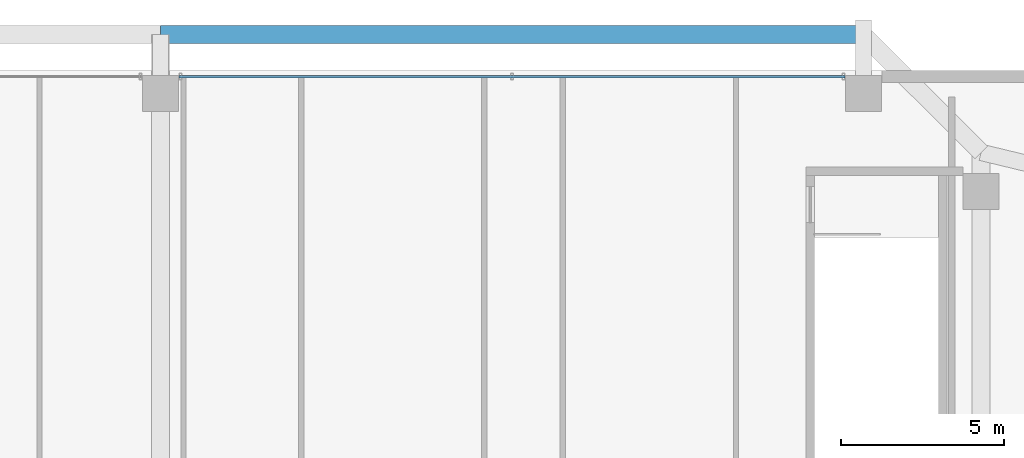
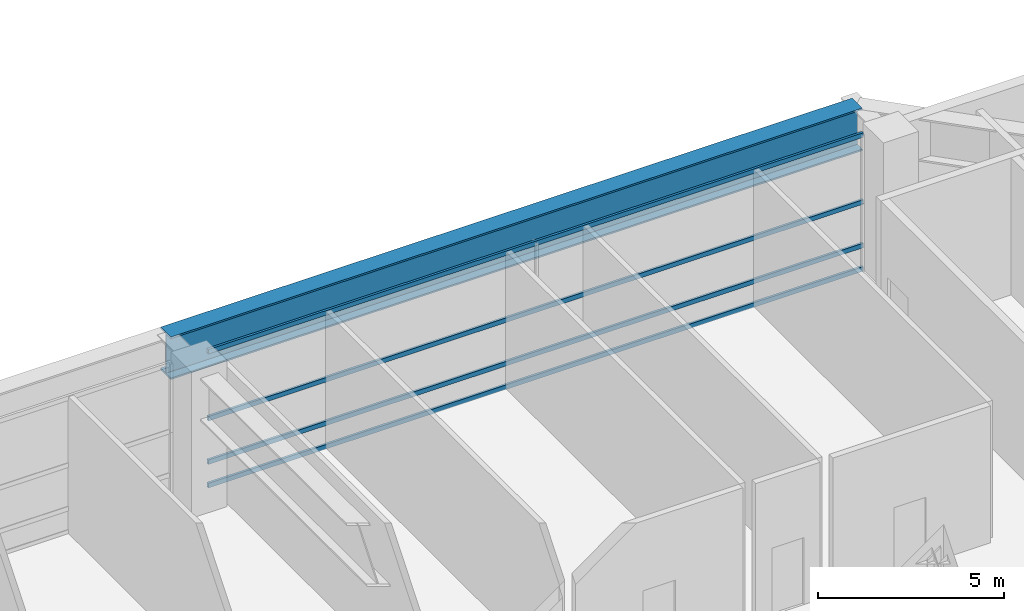
# One storey, part 22 of 34: 4 members, 1 beam, 1 element without a shape of its own.
"""IFC4 building model written with IfcOpenShell, lengths in metres."""

import ifcopenshell
import ifcopenshell.guid

model = None  # the IFC model being written
_history = None  # IfcOwnerHistory: only IFC2X3 demands one
_inside = {}  # id of a spatial element -> (the spatial element, [elements in it])
_under = {}  # id of a project, library or spatial element -> (it, [spatial elements below it])
_declared = {}  # id of a project -> (the project, [libraries it declares])
_typed = {}  # id of a type object -> (the type object, [elements of that type])
_made_of = {}  # id of a material, layer set ... -> (it, [elements and type objects made of it])


def new_model(schema):
    """Start an empty IFC model of exactly this schema.

    Asked for "IFC4X3", IfcOpenShell would pick the latest addendum, in which some entities
    have other attributes; the version numbers below select the first issue.
    IFC2X3 requires an IfcOwnerHistory on every rooted entity: one is made here for all.
    """
    global model, _history
    if schema == "IFC4X3":
        model = ifcopenshell.file(schema_version=(4, 3, 0, 0))
    else:
        model = ifcopenshell.file(schema=schema)
    _inside.clear()
    _under.clear()
    _declared.clear()
    _typed.clear()
    _made_of.clear()
    _history = None
    if model.schema == "IFC2X3":
        org = make("IfcOrganization", Name="unknown")
        user = make(
            "IfcPersonAndOrganization",
            ThePerson=make("IfcPerson", FamilyName="unknown"),
            TheOrganization=org,
        )
        app = make(
            "IfcApplication",
            ApplicationDeveloper=org,
            Version="unknown",
            ApplicationFullName="unknown",
            ApplicationIdentifier="unknown",
        )
        _history = make(
            "IfcOwnerHistory",
            OwningUser=user,
            OwningApplication=app,
            ChangeAction="ADDED",
            CreationDate=0,
        )
    return model


def make(cls, **values):
    """One entity of the class cls with the attributes given. An attribute that is None is left unset."""
    return model.create_entity(
        cls, **{name: value for name, value in values.items() if value is not None}
    )


def rooted(cls, **values):
    """An entity with a GlobalId (a new one), such as an element, a storey or a relation."""
    return make(cls, GlobalId=ifcopenshell.guid.new(), OwnerHistory=_history, **values)


def si_unit(unit_type, name, prefix=None):
    """IfcSIUnit, for example si_unit("LENGTHUNIT", "METRE", prefix="MILLI")."""
    return make("IfcSIUnit", UnitType=unit_type, Prefix=prefix, Name=name)


def assignment(units):
    """IfcUnitAssignment: the units of a project."""
    return None if units is None else make("IfcUnitAssignment", Units=units)


def point(xyz):
    """IfcCartesianPoint."""
    return None if xyz is None else make("IfcCartesianPoint", Coordinates=xyz)


def direction(xyz):
    """IfcDirection."""
    return None if xyz is None else make("IfcDirection", DirectionRatios=xyz)


def frame(location, z_axis=None, x_axis=None):
    """IfcAxis2Placement3D, a coordinate frame: its origin and axes. An axis left out is left unset."""
    return make(
        "IfcAxis2Placement3D",
        Location=point(location),
        Axis=direction(z_axis),
        RefDirection=direction(x_axis),
    )


def frame_2d(location, x_axis=None):
    """IfcAxis2Placement2D, a coordinate frame in the plane: its origin and x axis."""
    return make(
        "IfcAxis2Placement2D", Location=point(location), RefDirection=direction(x_axis)
    )


def origin():
    """The frame at (0, 0, 0) with its axes left unset."""
    return frame((0.0, 0.0, 0.0))


def origin_2d():
    """The frame at (0, 0) in the plane with its x axis left unset."""
    return frame_2d((0.0, 0.0))


def place(relative_to, where):
    """IfcLocalPlacement: puts the frame where relative to a parent placement (None: the world)."""
    return make(
        "IfcLocalPlacement", PlacementRelTo=relative_to, RelativePlacement=where
    )


def context(
    kind, dimensions, precision=None, world=None, true_north=None, identifier=None
):
    """IfcGeometricRepresentationContext, for example the 3D "Model" context."""
    return make(
        "IfcGeometricRepresentationContext",
        ContextIdentifier=identifier,
        ContextType=kind,
        CoordinateSpaceDimension=dimensions,
        Precision=precision,
        WorldCoordinateSystem=world,
        TrueNorth=true_north,
    )


def subcontext(parent, identifier, kind, view, scale=None):
    """IfcGeometricRepresentationSubContext, for example "Body" below "Model"."""
    return make(
        "IfcGeometricRepresentationSubContext",
        ContextIdentifier=identifier,
        ContextType=kind,
        ParentContext=parent,
        TargetScale=scale,
        TargetView=view,
    )


def project(units=None, contexts=None):
    """IfcProject with its units and contexts."""
    return rooted(
        "IfcProject",
        Name="project",
        RepresentationContexts=contexts,
        UnitsInContext=assignment(units),
    )


def spatial(cls, under=None, at=None, **own):
    """A site, building, storey or space (cls), placed at a placement, below another one or the project."""
    s = rooted(cls, ObjectPlacement=at, **own)
    if under is not None:
        _under.setdefault(under.id(), (under, []))[1].append(s)
    return s


def profile(cls, at=None, kind="AREA", **sizes):
    """A parametric profile (cls). Its sizes go by their IFC names, for example OverallWidth=200.0."""
    return make(cls, ProfileType=kind, Position=at, **sizes)


def hollow_rectangle(**sizes):
    """IfcRectangleHollowProfileDef."""
    return profile("IfcRectangleHollowProfileDef", **sizes)


def i_section(**sizes):
    """IfcIShapeProfileDef."""
    return profile("IfcIShapeProfileDef", **sizes)


def extrude(swept, where, along, depth):
    """IfcExtrudedAreaSolid: the profile swept, set in the frame where, extruded along a direction by depth."""
    return make(
        "IfcExtrudedAreaSolid",
        SweptArea=swept,
        Position=where,
        ExtrudedDirection=direction(along),
        Depth=depth,
    )


def shape(context_of_items, identifier, shape_type, items):
    """IfcShapeRepresentation: the items that make up one representation, for example the "Body"."""
    return make(
        "IfcShapeRepresentation",
        ContextOfItems=context_of_items,
        RepresentationIdentifier=identifier,
        RepresentationType=shape_type,
        Items=items,
    )


def source(mapping_origin, context_of_items, identifier, shape_type, items):
    """IfcRepresentationMap: a shape defined once, which mapped items show again and again."""
    return make(
        "IfcRepresentationMap",
        MappingOrigin=mapping_origin,
        MappedRepresentation=shape(context_of_items, identifier, shape_type, items),
    )


def transform(
    local_origin,
    x_axis=None,
    y_axis=None,
    z_axis=None,
    scale=None,
    scale2=None,
    scale3=None,
    uniform=True,
):
    """IfcCartesianTransformationOperator3D, or its non-uniform kind. x_axis, y_axis, z_axis: its Axis1, 2, 3."""
    if uniform:
        return make(
            "IfcCartesianTransformationOperator3D",
            Axis1=direction(x_axis),
            Axis2=direction(y_axis),
            LocalOrigin=point(local_origin),
            Scale=scale,
            Axis3=direction(z_axis),
        )
    return make(
        "IfcCartesianTransformationOperator3DnonUniform",
        Axis1=direction(x_axis),
        Axis2=direction(y_axis),
        LocalOrigin=point(local_origin),
        Scale=scale,
        Axis3=direction(z_axis),
        Scale2=scale2,
        Scale3=scale3,
    )


def mapped(mapping_source, mapping_target):
    """IfcMappedItem: shows the shape of a source again, moved by a transform."""
    return make(
        "IfcMappedItem", MappingSource=mapping_source, MappingTarget=mapping_target
    )


def material(Name=None, Category=None):
    """IfcMaterial."""
    return make("IfcMaterial", Name=Name, Category=Category)


def layer(
    of_material, thickness, ventilated=None, Name=None, Category=None, Priority=None
):
    """IfcMaterialLayer: one layer of a wall or slab, of a material (None: an air gap)."""
    return make(
        "IfcMaterialLayer",
        Material=of_material,
        LayerThickness=thickness,
        IsVentilated=ventilated,
        Name=Name,
        Category=Category,
        Priority=Priority,
    )


def layer_set(layers, Name=None):
    """IfcMaterialLayerSet."""
    return make("IfcMaterialLayerSet", MaterialLayers=layers, LayerSetName=Name)


def material_profile(
    of_material, cross_section, Name=None, Category=None, Priority=None
):
    """IfcMaterialProfile: a cross section and its material."""
    return make(
        "IfcMaterialProfile",
        Name=Name,
        Material=of_material,
        Profile=cross_section,
        Priority=Priority,
        Category=Category,
    )


def profile_set(profiles, Name=None, composite=None):
    """IfcMaterialProfileSet."""
    return make(
        "IfcMaterialProfileSet",
        Name=Name,
        MaterialProfiles=profiles,
        CompositeProfile=composite,
    )


def made_of(thing, what):
    """Note that an element or type object is made of a material, layer set ...; save() writes the relation."""
    if what is not None:
        _made_of.setdefault(what.id(), (what, []))[1].append(thing)
    return thing


def type_object(cls, material=None, **own):
    """A type object (cls), such as IfcWallType, which elements share."""
    return made_of(rooted(cls, **own), material)


def element(
    cls,
    number,
    at=None,
    inside=None,
    cuts=None,
    type_object=None,
    material=None,
    context=None,
    identifier="Body",
    shape_type=None,
    held_by="IfcProductDefinitionShape",
    body=None,
    shapes=None,
    **own,
):
    """One element of the class cls, such as IfcWall. Its Tag is "e" and its number.

    at: its placement. inside: the storey or other place that contains it. cuts: it is an
    opening in that element (IfcRelVoidsElement). A single representation is given by context,
    identifier, shape_type and body (its items); several are given by shapes. held_by: the class
    of the entity that holds the representations. save() writes the other relations.
    """
    e = rooted(cls, Tag="e%d" % number, ObjectPlacement=at, **own)
    if body is not None:
        shapes = [shape(context, identifier, shape_type, body)]
    if shapes is not None:
        e.Representation = make(held_by, Representations=shapes)
    if inside is not None:
        _inside.setdefault(inside.id(), (inside, []))[1].append(e)
    if cuts is not None:
        rooted(
            "IfcRelVoidsElement", RelatingBuildingElement=cuts, RelatedOpeningElement=e
        )
    if type_object is not None:
        _typed.setdefault(type_object.id(), (type_object, []))[1].append(e)
    return made_of(e, material)


def aggregate(whole, parts):
    """IfcRelAggregates: a whole, such as a stair, and the parts it consists of."""
    return rooted("IfcRelAggregates", RelatingObject=whole, RelatedObjects=parts)


def save(model, path):
    """Write the relations noted so far, then the file.

    IfcRelAggregates (storeys below a building ...), IfcRelContainedInSpatialStructure (elements
    in a storey), IfcRelDefinesByType, IfcRelAssociatesMaterial and IfcRelDeclares: one each for
    every whole, place, type object, material and project.
    """
    for whole, parts in _under.values():
        aggregate(whole, parts)
    for where, things in _inside.values():
        rooted(
            "IfcRelContainedInSpatialStructure",
            RelatedElements=things,
            RelatingStructure=where,
        )
    for kind, things in _typed.values():
        rooted("IfcRelDefinesByType", RelatedObjects=things, RelatingType=kind)
    for what, things in _made_of.values():
        rooted("IfcRelAssociatesMaterial", RelatedObjects=things, RelatingMaterial=what)
    for by, libraries in _declared.values():
        rooted("IfcRelDeclares", RelatingContext=by, RelatedDefinitions=libraries)
    model.write(path)


model = new_model("IFC4")

# Units and contexts
model_context = context("Model", 3, precision=1e-05, world=origin(), true_north=direction((0.0, 1.0)))
body_context = subcontext(model_context, "Body", "Model", "MODEL_VIEW")
ifc_project = project(units=[si_unit("LENGTHUNIT", "METRE"), si_unit("AREAUNIT", "SQUARE_METRE"), si_unit("VOLUMEUNIT", "CUBIC_METRE"), si_unit("PLANEANGLEUNIT", "RADIAN"), si_unit("MASSUNIT", "GRAM", prefix="KILO"), si_unit("THERMODYNAMICTEMPERATUREUNIT", "KELVIN"), si_unit("POWERUNIT", "WATT")], contexts=[model_context])

# Site, building, storey
site_placement = place(None, origin())
site = spatial("IfcSite", under=ifc_project, at=site_placement, CompositionType="ELEMENT")
building_placement = place(site_placement, origin())
building = spatial("IfcBuilding", under=site, at=building_placement, Name="Yuzanri Waterfront Tower", CompositionType="ELEMENT")
storey_placement = place(building_placement, frame((0.0, 0.0, 25.800048828125)))
storey = spatial("IfcBuildingStorey", under=building, at=storey_placement, Name="L06", CompositionType="ELEMENT", Elevation=25.800048828125)

# Beam
ifc_material_1 = material(Name="Steel Q420GJC", Category="steel")
ifc_material_profile_1 = material_profile(ifc_material_1, i_section(OverallWidth=0.550048828125, OverallDepth=1.39990234375, WebThickness=0.030029296875, FlangeThickness=0.054931640625, at=origin_2d()), Name="PG 1400x550x30x55")
ifc_profile_set_1 = profile_set([ifc_material_profile_1], Name="Steel Q420GJC")
beam_type = type_object("IfcBeamType", Name="Tower Base Transfer Girder Q420GJC PG 1400x550", PredefinedType="USERDEFINED", material=ifc_profile_set_1)
shared_shape_1 = source(origin(), body_context, "Body", "SweptSolid", [
    extrude(i_section(OverallWidth=0.550048828125, OverallDepth=1.39990234375, WebThickness=0.030029296875, FlangeThickness=0.054931640625, at=origin_2d()), origin(), (0.0, 0.0, 1.0), 21.5),
])
beam_placement = place(storey_placement, frame((58.5, 50.89990234375, 3.800048828125), z_axis=(-1.0, 0.0, 0.0), x_axis=(0.0, -1.0, 0.0)))
element("IfcBeam", 1, at=beam_placement, inside=storey, type_object=beam_type, Name="L06 Tower Base Ring N3-N2", ObjectType="GIRDER", PredefinedType="USERDEFINED", context=body_context, shape_type="MappedRepresentation", body=[
    mapped(shared_shape_1, transform((0.0, 0.0, 0.0), scale=1.0)),
])

# Curtain wall, members
ifc_material_2 = material(Name="Anodized Architectural Bronze", Category="metal")
ifc_layer = layer(ifc_material_2, 0.159912109375)
ifc_layer_set = layer_set([ifc_layer], Name="Anodized Architectural Bronze")
curtain_wall_type = type_object("IfcCurtainWallType", Name="Anodized Bronze Podium Waterfront Double-Height Unitized Curtain Wall 8400", PredefinedType="NOTDEFINED", material=ifc_layer_set)
curtain_wall_placement = place(storey_placement, origin())
curtain_wall = element("IfcCurtainWall", 2, at=curtain_wall_placement, inside=storey, type_object=curtain_wall_type, Name="L06 Curtain Wall CW-L06-N2", PredefinedType="NOTDEFINED")
ifc_material_3 = material(Name="Anodized Architectural Bronze", Category="metal")
ifc_material_profile_2 = material_profile(ifc_material_3, hollow_rectangle(XDim=0.074951171875, YDim=0.14990234375, WallThickness=0.00390625, at=origin_2d()), Name="CWT 75x150")
ifc_profile_set_2 = profile_set([ifc_material_profile_2], Name="Anodized Architectural Bronze")
member_type = type_object("IfcMemberType", Name="Anodized Bronze Primary Curtain-Wall Transom 75x150", PredefinedType="USERDEFINED", material=ifc_profile_set_2)
shared_shape_2 = source(origin(), body_context, "Body", "SweptSolid", [
    extrude(hollow_rectangle(XDim=0.074951171875, YDim=0.14990234375, WallThickness=0.00390625, at=origin_2d()), origin(), (0.0, 0.0, 1.0), 20.35986328125),
])
member_1_placement = place(storey_placement, frame((37.570068359375, 49.6201171875, 0.050048828125), z_axis=(1.0, 0.0, 0.0), x_axis=(0.0, 1.0, 0.0)))
member_1 = element("IfcMember", 3, at=member_1_placement, type_object=member_type, Name="CW-L06-N2 Transom 1", ObjectType="TRANSOM", PredefinedType="USERDEFINED", context=body_context, shape_type="MappedRepresentation", body=[
    mapped(shared_shape_2, transform((0.0, 0.0, 0.0), scale=1.0)),
])
member_2_placement = place(storey_placement, frame((37.570068359375, 49.6201171875, 0.820068359375), z_axis=(1.0, 0.0, 0.0), x_axis=(0.0, 1.0, 0.0)))
member_2 = element("IfcMember", 4, at=member_2_placement, type_object=member_type, Name="CW-L06-N2 Transom 2", ObjectType="TRANSOM", PredefinedType="USERDEFINED", context=body_context, shape_type="MappedRepresentation", body=[
    mapped(shared_shape_2, transform((0.0, 0.0, 0.0), scale=1.0)),
])
member_3_placement = place(storey_placement, frame((37.570068359375, 49.6201171875, 2.25), z_axis=(1.0, 0.0, 0.0), x_axis=(0.0, 1.0, 0.0)))
member_3 = element("IfcMember", 5, at=member_3_placement, type_object=member_type, Name="CW-L06-N2 Transom 3", ObjectType="TRANSOM", PredefinedType="USERDEFINED", context=body_context, shape_type="MappedRepresentation", body=[
    mapped(shared_shape_2, transform((0.0, 0.0, 0.0), scale=1.0)),
])
member_4_placement = place(storey_placement, frame((37.570068359375, 49.6201171875, 4.449951171875), z_axis=(1.0, 0.0, 0.0), x_axis=(0.0, 1.0, 0.0)))
member_4 = element("IfcMember", 6, at=member_4_placement, type_object=member_type, Name="CW-L06-N2 Transom 4", ObjectType="TRANSOM", PredefinedType="USERDEFINED", context=body_context, shape_type="MappedRepresentation", body=[
    mapped(shared_shape_2, transform((0.0, 0.0, 0.0), scale=1.0)),
])
aggregate(curtain_wall, [member_1, member_2, member_3, member_4])

save(model, "model.ifc")
